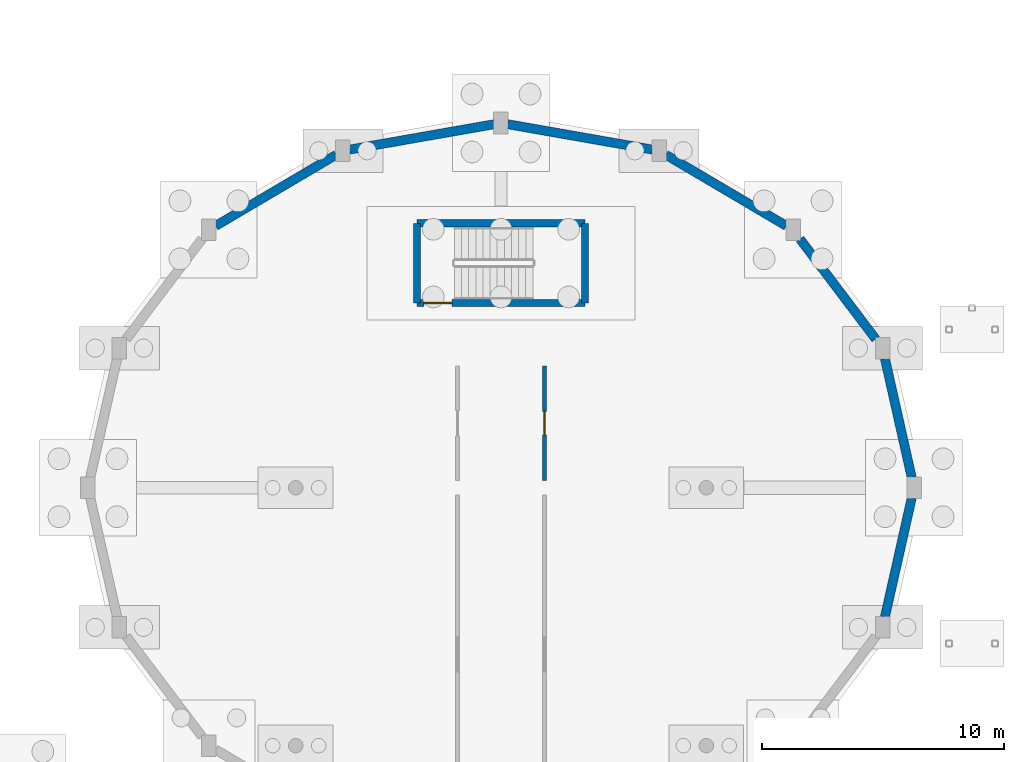
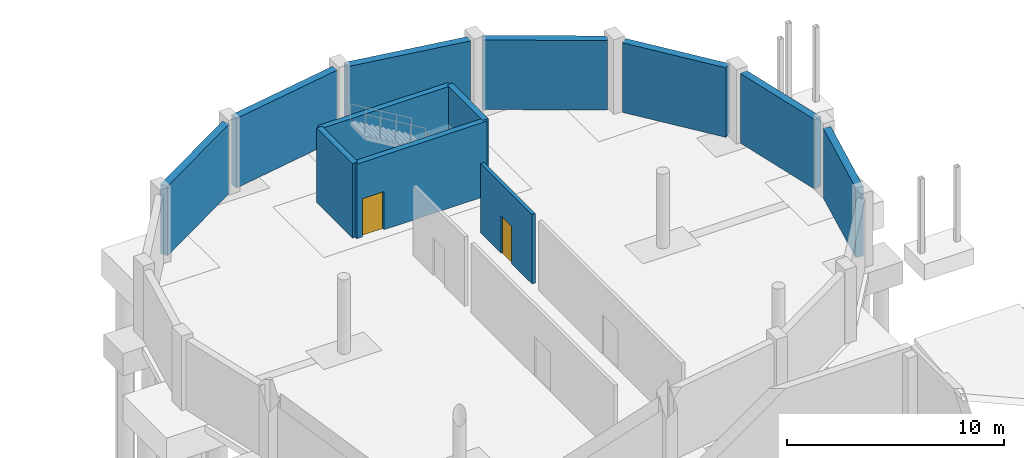
# One storey, part 36 of 43: 12 walls, 2 doors, 2 openings.
"""IFC4 building model written with IfcOpenShell, lengths in metres."""

from ifc_helpers import new_model, si_unit, direction, frame, frame_2d, origin, place, context, subcontext, project, spatial, rectangle, extrude, material, layer, layer_set, type_object, element, fill, save


model = new_model("IFC4")

# Units and contexts
model_context = context("Model", 3, precision=1e-05, world=origin(), true_north=direction((0.0, 1.0)))
body_context = subcontext(model_context, "Body", "Model", "MODEL_VIEW")
ifc_project = project(units=[si_unit("LENGTHUNIT", "METRE"), si_unit("AREAUNIT", "SQUARE_METRE"), si_unit("VOLUMEUNIT", "CUBIC_METRE"), si_unit("PLANEANGLEUNIT", "RADIAN"), si_unit("MASSUNIT", "GRAM", prefix="KILO")], contexts=[model_context])

# Site, building, storey
site_placement = place(None, origin())
site = spatial("IfcSite", under=ifc_project, at=site_placement, CompositionType="ELEMENT")
building_placement = place(site_placement, origin())
building = spatial("IfcBuilding", under=site, at=building_placement, Name="Vespera Passage Community Centre", CompositionType="ELEMENT")
storey_placement = place(building_placement, frame((0.0, 0.0, -4.199951171875)))
storey = spatial("IfcBuildingStorey", under=building, at=storey_placement, Name="B1", CompositionType="ELEMENT", Elevation=-4.199951171875)

# Wall, opening, door
ifc_material_1 = material(Name="Concrete f'c 45 MPa", Category="concrete")
ifc_layer_1 = layer(ifc_material_1, 0.300048828125)
ifc_layer_set_1 = layer_set([ifc_layer_1], Name="Concrete f'c 45 MPa")
wall_type_1 = type_object("IfcWallType", Name="WT-CORE-300I", PredefinedType="SHEAR", material=ifc_layer_set_1)
wall_1_placement = place(storey_placement, frame((146.47509765625, 97.14990234375, 0.0), z_axis=(0.0, 0.0, 1.0), x_axis=(-1.0, 0.0, 0.0)))
wall_1 = element("IfcWall", 1, at=wall_1_placement, inside=storey, type_object=wall_type_1, Name="Core C6 B1 Shear Wall FRONT", PredefinedType="SHEAR", context=body_context, shape_type="SweptSolid", body=[
    extrude(rectangle(XDim=6.9501953125, YDim=0.300048828125, at=frame_2d((3.47509765625, 0.0))), origin(), (0.0, 0.0, 1.0), 4.199951171875),
])
opening_1_placement = place(wall_1_placement, frame((5.5048828125, 0.0, 0.0)))
opening_1 = element("IfcOpeningElement", 2, at=opening_1_placement, cuts=wall_1, Name="Opening DT-STAIR-90", PredefinedType="OPENING", context=body_context, shape_type="SweptSolid", body=[
    extrude(rectangle(XDim=1.14990234375, YDim=2.14990234375, at=frame_2d((0.574951171875, 1.074951171875))), frame((0.0, 0.159912109375, 0.0), z_axis=(0.0, -1.0, 0.0), x_axis=(1.0, 0.0, 0.0)), (0.0, 0.0, 1.0), 0.320068359375),
])
ifc_material_2 = material(Name="Painted hollow-metal acoustic door", Category="steel")
door_type_1 = type_object("IfcDoorType", Name="DT-STAIR-90", OperationType="NOTDEFINED", PredefinedType="DOOR", material=ifc_material_2)
door_1_placement = place(opening_1_placement, origin())
door_1 = element("IfcDoor", 3, at=door_1_placement, inside=storey, type_object=door_type_1, Name="Core C6 B1 Exit Stair Door D-106", OperationType="SINGLE_SWING_RIGHT", OverallHeight=2.14990234375, OverallWidth=1.14990234375, PredefinedType="DOOR", context=body_context, shape_type="SweptSolid", body=[
    extrude(rectangle(XDim=1.14990234375, YDim=2.14990234375, at=frame_2d((0.574951171875, 1.074951171875))), frame((0.0, 0.02490234375, 0.0), z_axis=(0.0, -1.0, 0.0), x_axis=(1.0, 0.0, 0.0)), (0.0, 0.0, 1.0), 0.050048828125),
])
fill(opening_1, door_1)

# Walls
wall_2_placement = place(storey_placement, frame((139.52490234375, 97.14990234375, 0.0), z_axis=(0.0, 0.0, 1.0), x_axis=(0.0, 1.0, 0.0)))
element("IfcWall", 4, at=wall_2_placement, inside=storey, type_object=wall_type_1, Name="Core C6 B1 Shear Wall LEFT", PredefinedType="SHEAR", context=body_context, shape_type="SweptSolid", body=[
    extrude(rectangle(XDim=3.300048828125, YDim=0.300048828125, at=frame_2d((1.64990234375, 0.0))), origin(), (0.0, 0.0, 1.0), 4.199951171875),
])
wall_3_placement = place(storey_placement, frame((139.52490234375, 100.449951171875, 0.0), z_axis=(0.0, 0.0, 1.0), x_axis=(1.0, 0.0, 0.0)))
element("IfcWall", 5, at=wall_3_placement, inside=storey, type_object=wall_type_1, Name="Core C6 B1 Shear Wall BACK", PredefinedType="SHEAR", context=body_context, shape_type="SweptSolid", body=[
    extrude(rectangle(XDim=6.9501953125, YDim=0.300048828125, at=frame_2d((3.47509765625, 0.0))), origin(), (0.0, 0.0, 1.0), 4.199951171875),
])
wall_4_placement = place(storey_placement, frame((146.47509765625, 100.449951171875, 0.0), z_axis=(0.0, 0.0, 1.0), x_axis=(0.0, -1.0, 0.0)))
element("IfcWall", 6, at=wall_4_placement, inside=storey, type_object=wall_type_1, Name="Core C6 B1 Shear Wall RIGHT", PredefinedType="SHEAR", context=body_context, shape_type="SweptSolid", body=[
    extrude(rectangle(XDim=3.300048828125, YDim=0.300048828125, at=frame_2d((1.64990234375, 0.0))), origin(), (0.0, 0.0, 1.0), 4.199951171875),
])

# Wall, opening, door
ifc_material_3 = material(Name="Gypsum board acoustic stud partition")
ifc_layer_2 = layer(ifc_material_3, 0.179931640625)
ifc_layer_set_2 = layer_set([ifc_layer_2], Name="Gypsum board acoustic stud partition")
wall_type_2 = type_object("IfcWallType", Name="WT-CORR-180I", PredefinedType="PARTITIONING", material=ifc_layer_set_2)
wall_5_placement = place(storey_placement, frame((144.800048828125, 89.800048828125, 0.0), z_axis=(0.0, 0.0, 1.0), x_axis=(0.0, 1.0, 0.0)))
wall_5 = element("IfcWall", 7, at=wall_5_placement, inside=storey, type_object=wall_type_2, Name="B1 Interior Partition V2-B1-CEN.1", PredefinedType="PARTITIONING", context=body_context, shape_type="SweptSolid", body=[
    extrude(rectangle(XDim=4.75, YDim=0.179931640625, at=frame_2d((2.375, 0.0))), origin(), (0.0, 0.0, 1.0), 3.9150390625),
])
opening_2_placement = place(wall_5_placement, frame((1.885009765625, 0.0, 0.0)))
opening_2 = element("IfcOpeningElement", 8, at=opening_2_placement, cuts=wall_5, Name="Opening DT-INT-98", PredefinedType="OPENING", context=body_context, shape_type="SweptSolid", body=[
    extrude(rectangle(XDim=0.97998046875, YDim=2.10009765625, at=frame_2d((0.489990234375, 1.050048828125))), frame((0.0, 0.099853515625, 0.0), z_axis=(0.0, -1.0, 0.0), x_axis=(1.0, 0.0, 0.0)), (0.0, 0.0, 1.0), 0.199951171875),
])
ifc_material_4 = material(Name="Solid-core maple veneer door", Category="wood")
door_type_2 = type_object("IfcDoorType", Name="DT-INT-98", OperationType="NOTDEFINED", PredefinedType="DOOR", material=ifc_material_4)
door_2_placement = place(opening_2_placement, origin())
door_2 = element("IfcDoor", 9, at=door_2_placement, inside=storey, type_object=door_type_2, Name="B1 Interior Door D-344", OperationType="SINGLE_SWING_RIGHT", OverallHeight=2.10009765625, OverallWidth=0.97998046875, PredefinedType="DOOR", context=body_context, shape_type="SweptSolid", body=[
    extrude(rectangle(XDim=0.97998046875, YDim=2.10009765625, at=frame_2d((0.489990234375, 1.050048828125))), frame((0.0, 0.02490234375, 0.0), z_axis=(0.0, -1.0, 0.0), x_axis=(1.0, 0.0, 0.0)), (0.0, 0.0, 1.0), 0.050048828125),
])
fill(opening_2, door_2)

# Walls
ifc_material_5 = material(Name="Concrete f'c 45 MPa", Category="concrete")
ifc_layer_3 = layer(ifc_material_5, 0.3798828125)
ifc_layer_set_3 = layer_set([ifc_layer_3], Name="Concrete f'c 45 MPa")
wall_type_3 = type_object("IfcWallType", Name="WT-RET-380E", PredefinedType="SHEAR", material=ifc_layer_set_3)
wall_6_placement = place(storey_placement, frame((158.894287109375, 94.852783203125, 0.0), z_axis=(0.0, 0.0, 1.0), x_axis=(0.219744533343, -0.97555745093, 0.0)))
element("IfcWall", 10, at=wall_6_placement, inside=storey, type_object=wall_type_3, Name="V2 B1 Retaining Wall 1", PredefinedType="SHEAR", context=body_context, shape_type="SweptSolid", body=[
    extrude(rectangle(XDim=5.05078125, YDim=0.3798828125, at=frame_2d((2.525390625, 0.0))), origin(), (0.0, 0.0, 1.0), 3.919921875),
])
wall_7_placement = place(storey_placement, frame((155.37646484375, 99.80078125, 0.0), z_axis=(0.0, 0.0, 1.0), x_axis=(0.603398282319, -0.797439974477, 0.0)))
element("IfcWall", 11, at=wall_7_placement, inside=storey, type_object=wall_type_3, Name="V2 B1 Retaining Wall 2", PredefinedType="SHEAR", context=body_context, shape_type="SweptSolid", body=[
    extrude(rectangle(XDim=5.19873046875, YDim=0.3798828125, at=frame_2d((2.599365234375, 0.0))), origin(), (0.0, 0.0, 1.0), 3.919921875),
])
wall_8_placement = place(storey_placement, frame((149.822509765625, 103.286376953125, 0.0), z_axis=(0.0, 0.0, 1.0), x_axis=(0.861235880181, -0.508205429614, 0.0)))
element("IfcWall", 12, at=wall_8_placement, inside=storey, type_object=wall_type_3, Name="V2 B1 Retaining Wall 3", PredefinedType="SHEAR", context=body_context, shape_type="SweptSolid", body=[
    extrude(rectangle(XDim=5.79443359375, YDim=0.3798828125, at=frame_2d((2.897216796875, 0.0))), origin(), (0.0, 0.0, 1.0), 3.919921875),
])
for number, where, z_axis, x_axis, name in (
    (13, (143.275390625, 104.551513671875, 0.0), (0.0, 0.0, 1.0), (0.984927418504, -0.172968148166, 0.0), "V2 B1 Retaining Wall 4"),
    (14, (136.7314453125, 103.4990234375, 0.0), (0.0, 0.0, 1.0), (0.984927418504, 0.172968148166, 0.0), "V2 B1 Retaining Wall 5"),
):
    element("IfcWall", number, at=place(storey_placement, frame(where, z_axis=z_axis, x_axis=x_axis)), inside=storey, type_object=wall_type_3, Name=name, PredefinedType="SHEAR", context=body_context, shape_type="SweptSolid", body=[
        extrude(rectangle(XDim=6.0849609375, YDim=0.3798828125, at=frame_2d((3.04248046875, 0.0))), origin(), (0.0, 0.0, 1.0), 3.919921875),
    ])
wall_9_placement = place(storey_placement, frame((131.18701171875, 100.341552734375, 0.0), z_axis=(0.0, 0.0, 1.0), x_axis=(0.861235880181, 0.508205429614, 0.0)))
element("IfcWall", 15, at=wall_9_placement, inside=storey, type_object=wall_type_3, Name="V2 B1 Retaining Wall 6", PredefinedType="SHEAR", context=body_context, shape_type="SweptSolid", body=[
    extrude(rectangle(XDim=5.79443359375, YDim=0.3798828125, at=frame_2d((2.897216796875, 0.0))), origin(), (0.0, 0.0, 1.0), 3.919921875),
])
wall_10_placement = place(storey_placement, frame((160.004150390625, 89.074462890625, 0.0), z_axis=(0.0, 0.0, 1.0), x_axis=(-0.219744533343, -0.97555745093, 0.0)))
element("IfcWall", 16, at=wall_10_placement, inside=storey, type_object=wall_type_3, Name="V2 B1 Retaining Wall 16", PredefinedType="SHEAR", context=body_context, shape_type="SweptSolid", body=[
    extrude(rectangle(XDim=5.05078125, YDim=0.3798828125, at=frame_2d((2.525390625, 0.0))), origin(), (0.0, 0.0, 1.0), 3.919921875),
])

save(model, "model.ifc")
